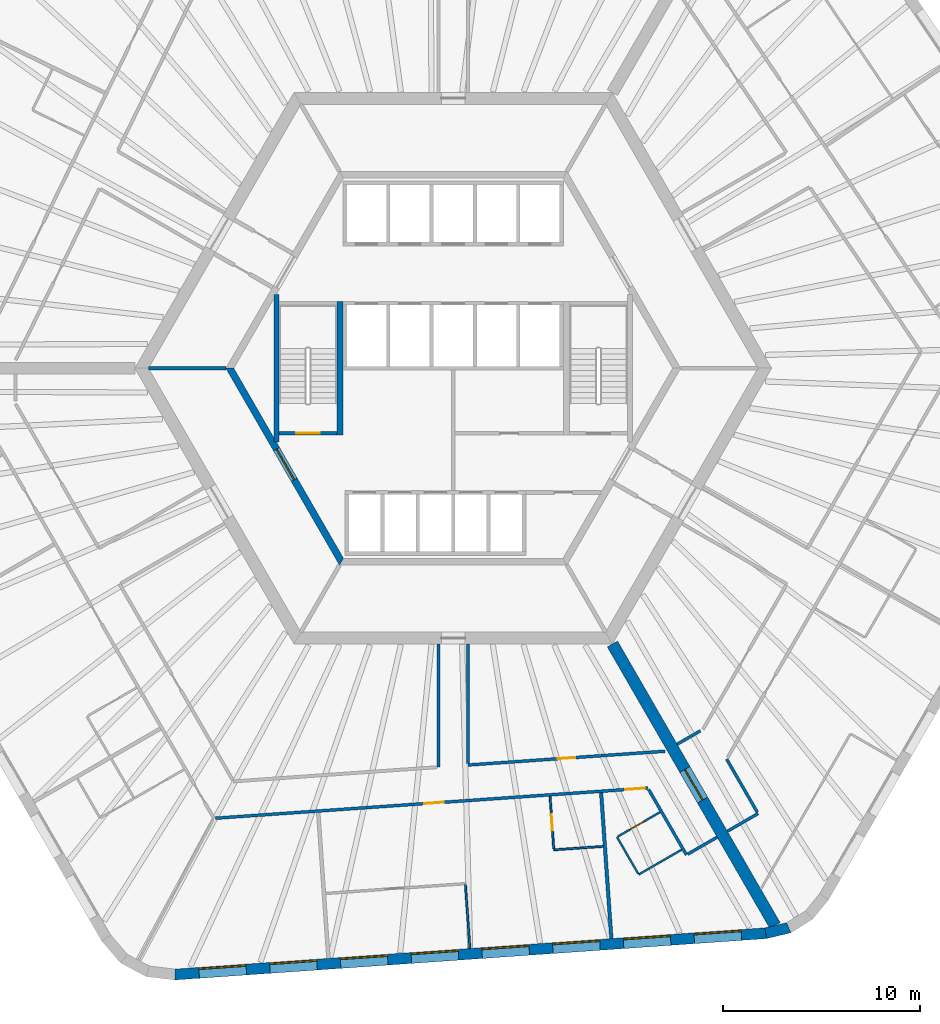
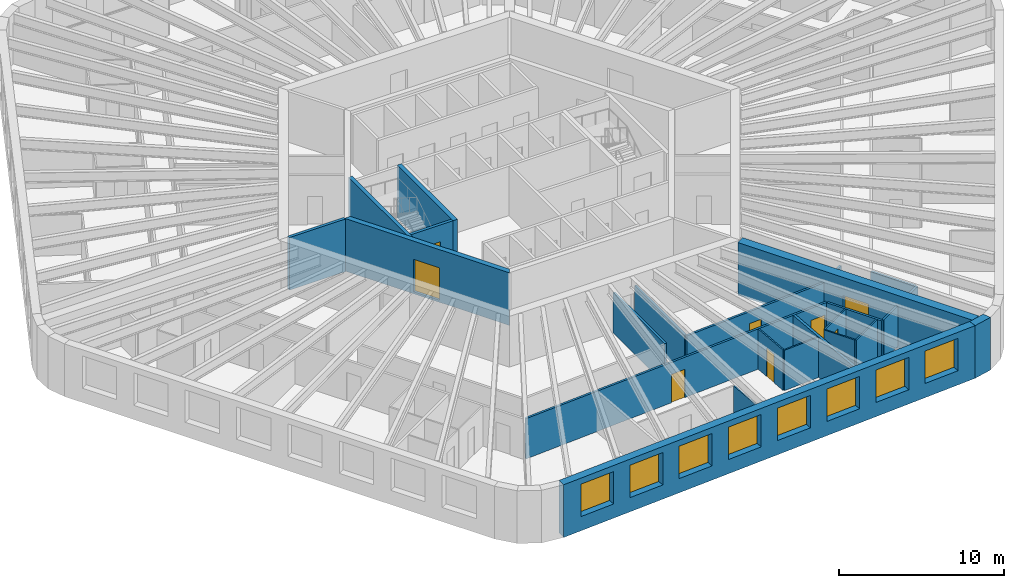
# One storey, part 4 of 12: 24 walls, 8 doors, 8 windows, 16 openings.
"""IFC4 building model written with IfcOpenShell, lengths in metres."""

from ifc_helpers import new_model, si_unit, direction, frame, frame_2d, origin, place, context, subcontext, project, spatial, polyline, rectangle, outline, extrude, material, layer, layer_set, type_object, element, fill, save


model = new_model("IFC4")

# Units and contexts
model_context = context("Model", 3, precision=1e-05, world=origin(), true_north=direction((0.0, 1.0)))
body_context = subcontext(model_context, "Body", "Model", "MODEL_VIEW")
ifc_project = project(units=[si_unit("LENGTHUNIT", "METRE"), si_unit("AREAUNIT", "SQUARE_METRE"), si_unit("VOLUMEUNIT", "CUBIC_METRE"), si_unit("PLANEANGLEUNIT", "RADIAN"), si_unit("MASSUNIT", "GRAM", prefix="KILO")], contexts=[model_context])

# Site, building, storey
site_placement = place(None, origin())
site = spatial("IfcSite", under=ifc_project, at=site_placement, CompositionType="ELEMENT")
building_placement = place(site_placement, origin())
building = spatial("IfcBuilding", under=site, at=building_placement, Name="Tarnside Tower", CompositionType="ELEMENT")
storey_placement = place(building_placement, frame((0.0, 0.0, 119.39990234375)))
storey = spatial("IfcBuildingStorey", under=building, at=storey_placement, Name="L27", CompositionType="ELEMENT", Elevation=119.39990234375)

# Wall
ifc_material_1 = material(Name="Gypsum board partition on steel studs", Category="steel")
ifc_layer_1 = layer(ifc_material_1, 0.10009765625)
ifc_layer_set_1 = layer_set([ifc_layer_1], Name="Bathroom wall 100")
wall_type_1 = type_object("IfcWallType", Name="Bathroom wall 100", PredefinedType="PARTITIONING", material=ifc_layer_set_1)
wall_1_placement = place(storey_placement, frame((7.611083984375, -24.2783203125, 0.0), z_axis=(0.0, 0.0, 1.0), x_axis=(-0.997565196586, -0.069740078583, 0.0)))
element("IfcWall", 1, at=wall_1_placement, inside=storey, type_object=wall_type_1, Name="Bathroom wall 08116", PredefinedType="PARTITIONING", context=body_context, shape_type="SweptSolid", body=[
    extrude(rectangle(XDim=2.510009765625, YDim=0.10009765625, at=frame_2d((1.2548828125, 0.0))), origin(), (0.0, 0.0, 1.0), 2.98779296875),
])

# Wall, opening, door
wall_2_placement = place(storey_placement, frame((5.103515625, -24.4033203125, 0.0), z_axis=(0.0, 0.0, 1.0), x_axis=(-0.069729221413, 0.997565955554, 0.0)))
wall_2 = element("IfcWall", 2, at=wall_2_placement, inside=storey, type_object=wall_type_1, Name="Bathroom wall 08117", PredefinedType="PARTITIONING", context=body_context, shape_type="SweptSolid", body=[
    extrude(rectangle(XDim=2.675048828125, YDim=0.10009765625, at=frame_2d((1.33740234375, 0.0))), origin(), (0.0, 0.0, 1.0), 2.98779296875),
])
opening_1_placement = place(wall_2_placement, frame((0.949951171875, 0.0, 0.0)))
opening_1 = element("IfcOpeningElement", 3, at=opening_1_placement, cuts=wall_2, Name="Opening D-B1", PredefinedType="OPENING", context=body_context, shape_type="SweptSolid", body=[
    extrude(rectangle(XDim=0.800048828125, YDim=2.10009765625, at=frame_2d((0.39990234375, 1.050048828125))), frame((0.0, 0.06005859375, 0.0), z_axis=(0.0, -1.0, 0.0), x_axis=(1.0, 0.0, 0.0)), (0.0, 0.0, 1.0), 0.1201171875),
])
ifc_material_2 = material(Name="Timber door leaf", Category="wood")
door_type_1 = type_object("IfcDoorType", Name="Bathroom door 800", OperationType="NOTDEFINED", PredefinedType="DOOR", material=ifc_material_2)
door_1_placement = place(opening_1_placement, origin())
door_1 = element("IfcDoor", 4, at=door_1_placement, inside=storey, type_object=door_type_1, Name="Bathroom door 08024", OperationType="SINGLE_SWING_RIGHT", OverallHeight=2.10009765625, OverallWidth=0.800048828125, PredefinedType="DOOR", context=body_context, shape_type="SweptSolid", body=[
    extrude(rectangle(XDim=0.800048828125, YDim=2.10009765625, at=frame_2d((0.39990234375, 1.050048828125))), frame((0.0, 0.02490234375, 0.0), z_axis=(0.0, -1.0, 0.0), x_axis=(1.0, 0.0, 0.0)), (0.0, 0.0, 1.0), 0.050048828125),
])
fill(opening_1, door_1)

# Walls
wall_3_placement = place(storey_placement, frame((11.6015625, -24.444580078125, 0.0), z_axis=(0.0, 0.0, 1.0), x_axis=(-0.866039067339, -0.499976333282, 0.0)))
element("IfcWall", 5, at=wall_3_placement, inside=storey, type_object=wall_type_1, Name="Bathroom wall 08122", PredefinedType="PARTITIONING", context=body_context, shape_type="SweptSolid", body=[
    extrude(rectangle(XDim=2.52490234375, YDim=0.10009765625, at=frame_2d((1.262451171875, 0.0))), origin(), (0.0, 0.0, 1.0), 2.98779296875),
])
wall_4_placement = place(storey_placement, frame((9.389892578125, -25.66357421875, 0.0), z_axis=(0.0, 0.0, 1.0), x_axis=(-0.500010803666, 0.866019166195, 0.0)))
element("IfcWall", 6, at=wall_4_placement, inside=storey, type_object=wall_type_1, Name="Bathroom wall 08123", PredefinedType="PARTITIONING", context=body_context, shape_type="SweptSolid", body=[
    extrude(rectangle(XDim=2.14990234375, YDim=0.10009765625, at=frame_2d((1.074951171875, 0.0))), origin(), (0.0, 0.0, 1.0), 2.98779296875),
])

# Wall, opening, door
wall_5_placement = place(storey_placement, frame((8.358154296875, -23.776611328125, 0.0), z_axis=(0.0, 0.0, 1.0), x_axis=(0.86604923931, 0.499958713387, 0.0)))
wall_5 = element("IfcWall", 7, at=wall_5_placement, inside=storey, type_object=wall_type_1, Name="Bathroom wall 08124", PredefinedType="PARTITIONING", context=body_context, shape_type="SweptSolid", body=[
    extrude(rectangle(XDim=2.474853515625, YDim=0.10009765625, at=frame_2d((1.2373046875, 0.0))), origin(), (0.0, 0.0, 1.0), 2.98779296875),
])
opening_2_placement = place(wall_5_placement, frame((0.719970703125, 0.0, 0.0)))
opening_2 = element("IfcOpeningElement", 8, at=opening_2_placement, cuts=wall_5, Name="Opening D-B1", PredefinedType="OPENING", context=body_context, shape_type="SweptSolid", body=[
    extrude(rectangle(XDim=0.800048828125, YDim=2.10009765625, at=frame_2d((0.39990234375, 1.050048828125))), frame((0.0, 0.06005859375, 0.0), z_axis=(0.0, -1.0, 0.0), x_axis=(1.0, 0.0, 0.0)), (0.0, 0.0, 1.0), 0.1201171875),
])
door_2_placement = place(opening_2_placement, origin())
door_2 = element("IfcDoor", 9, at=door_2_placement, inside=storey, type_object=door_type_1, Name="Bathroom door 08027", OperationType="SINGLE_SWING_RIGHT", OverallHeight=2.10009765625, OverallWidth=0.800048828125, PredefinedType="DOOR", context=body_context, shape_type="SweptSolid", body=[
    extrude(rectangle(XDim=0.800048828125, YDim=2.10009765625, at=frame_2d((0.39990234375, 1.050048828125))), frame((0.0, 0.02490234375, 0.0), z_axis=(0.0, -1.0, 0.0), x_axis=(1.0, 0.0, 0.0)), (0.0, 0.0, 1.0), 0.050048828125),
])
fill(opening_2, door_2)

ifc_material_3 = material(Name="Concrete C50/60", Category="concrete")
ifc_layer_2 = layer(ifc_material_3, 0.35009765625)
ifc_layer_set_2 = layer_set([ifc_layer_2], Name="Core block wall 350 C50/60")
wall_type_2 = type_object("IfcWallType", Name="Core block wall 350 C50/60", PredefinedType="SHEAR", material=ifc_layer_set_2)
wall_6_placement = place(storey_placement, frame((-11.344970703125, 0.0, -0.14990234375), z_axis=(0.0, 0.0, 1.0), x_axis=(0.499995046907, -0.866028263435, 0.0)))
wall_6 = element("IfcWall", 10, at=wall_6_placement, inside=storey, type_object=wall_type_2, Name="L27 core block wall face 3", PredefinedType="SHEAR", context=body_context, shape_type="SweptSolid", body=[
    extrude(outline(polyline([(-0.10107421875, -0.175048828125), (11.44580078125, -0.175048828125), (11.24365234375, 0.175048828125), (0.10107421875, 0.175048828125), (-0.10107421875, -0.175048828125)])), origin(), (0.0, 0.0, 1.0), 3.89990234375),
])
opening_3_placement = place(wall_6_placement, frame((4.74365234375, 0.0, 0.14990234375)))
opening_3 = element("IfcOpeningElement", 11, at=opening_3_placement, cuts=wall_6, Name="Opening CD-FFL", PredefinedType="OPENING", context=body_context, shape_type="SweptSolid", body=[
    extrude(rectangle(XDim=1.800048828125, YDim=2.39990234375, at=frame_2d((0.89990234375, 1.199951171875))), frame((0.0, 0.18505859375, 0.0), z_axis=(0.0, -1.0, 0.0), x_axis=(1.0, 0.0, 0.0)), (0.0, 0.0, 1.0), 0.3701171875),
])
ifc_material_4 = material(Name="Steel fire door", Category="steel")
door_type_2 = type_object("IfcDoorType", Name="Firefighting lobby double door FD60S 1800x2400", OperationType="NOTDEFINED", PredefinedType="DOOR", material=ifc_material_4)
door_3_placement = place(opening_3_placement, origin())
door_3 = element("IfcDoor", 12, at=door_3_placement, inside=storey, type_object=door_type_2, Name="L27 lobby block door P3", OperationType="DOUBLE_DOOR_SINGLE_SWING", OverallHeight=2.39990234375, OverallWidth=1.800048828125, PredefinedType="DOOR", context=body_context, shape_type="SweptSolid", body=[
    extrude(rectangle(XDim=1.800048828125, YDim=2.39990234375, at=frame_2d((0.89990234375, 1.199951171875))), frame((0.0, 0.02490234375, 0.0), z_axis=(0.0, -1.0, 0.0), x_axis=(1.0, 0.0, 0.0)), (0.0, 0.0, 1.0), 0.050048828125),
])
fill(opening_3, door_3)

ifc_material_5 = material(Name="Concrete C80/95", Category="concrete")
ifc_layer_3 = layer(ifc_material_5, 0.60009765625)
ifc_layer_set_3 = layer_set([ifc_layer_3], Name="Core wall Z1 600 C80/95")
wall_type_3 = type_object("IfcWallType", Name="Core wall Z1 600 C80/95", PredefinedType="SHEAR", material=ifc_layer_set_3)
wall_7_placement = place(storey_placement, frame((8.0830078125, -14.0, -0.14990234375), z_axis=(0.0, 0.0, 1.0), x_axis=(0.499997680643, -0.866026742862, 0.0)))
wall_7 = element("IfcWall", 13, at=wall_7_placement, inside=storey, type_object=wall_type_3, Name="L27 spine wall 3", PredefinedType="SHEAR", context=body_context, shape_type="SweptSolid", body=[
    extrude(rectangle(XDim=16.5087890625, YDim=0.60009765625, at=frame_2d((8.25439453125, 0.0))), origin(), (0.0, 0.0, 1.0), 3.89990234375),
])
opening_4_placement = place(wall_7_placement, frame((7.3544921875, 0.0, 0.14990234375)))
opening_4 = element("IfcOpeningElement", 14, at=opening_4_placement, cuts=wall_7, Name="Opening CD-SPN", PredefinedType="OPENING", context=body_context, shape_type="SweptSolid", body=[
    extrude(rectangle(XDim=1.800048828125, YDim=2.39990234375, at=frame_2d((0.89990234375, 1.199951171875))), frame((0.0, 0.31005859375, 0.0), z_axis=(0.0, -1.0, 0.0), x_axis=(1.0, 0.0, 0.0)), (0.0, 0.0, 1.0), 0.6201171875),
])
door_type_3 = type_object("IfcDoorType", Name="Spine passage double door FD60 1800x2400", OperationType="NOTDEFINED", PredefinedType="DOOR", material=ifc_material_4)
door_4_placement = place(opening_4_placement, origin())
door_4 = element("IfcDoor", 15, at=door_4_placement, inside=storey, type_object=door_type_3, Name="L27 spine passage door 3", OperationType="DOUBLE_DOOR_SINGLE_SWING", OverallHeight=2.39990234375, OverallWidth=1.800048828125, PredefinedType="DOOR", context=body_context, shape_type="SweptSolid", body=[
    extrude(rectangle(XDim=1.800048828125, YDim=2.39990234375, at=frame_2d((0.89990234375, 1.199951171875))), frame((0.0, 0.02490234375, 0.0), z_axis=(0.0, -1.0, 0.0), x_axis=(1.0, 0.0, 0.0)), (0.0, 0.0, 1.0), 0.050048828125),
])
fill(opening_4, door_4)

# Wall, openings, doors
ifc_layer_4 = layer(ifc_material_1, 0.14990234375)
ifc_layer_set_4 = layer_set([ifc_layer_4], Name="Corridor wall 150 EI 60")
wall_type_4 = type_object("IfcWallType", Name="Corridor wall 150 EI 60", PredefinedType="PARTITIONING", material=ifc_layer_set_4)
wall_8_placement = place(storey_placement, frame((-12.068115234375, -22.847412109375, 0.0), z_axis=(0.0, 0.0, 1.0), x_axis=(0.99756437486, 0.069751831595, 0.0)))
wall_8 = element("IfcWall", 16, at=wall_8_placement, inside=storey, type_object=wall_type_4, Name="Corridor wall 08033", PredefinedType="PARTITIONING", context=body_context, shape_type="SweptSolid", body=[
    extrude(rectangle(XDim=22.001708984375, YDim=0.14990234375, at=frame_2d((11.0009765625, 0.0))), origin(), (0.0, 0.0, 1.0), 2.98779296875),
])
opening_5_placement = place(wall_8_placement, frame((10.621337890625, 0.0, 0.0)))
opening_5 = element("IfcOpeningElement", 17, at=opening_5_placement, cuts=wall_8, Name="Opening D-E1", PredefinedType="OPENING", context=body_context, shape_type="SweptSolid", body=[
    extrude(rectangle(XDim=1.0, YDim=2.10009765625, at=frame_2d((0.5, 1.050048828125))), frame((0.0, 0.0849609375, 0.0), z_axis=(0.0, -1.0, 0.0), x_axis=(1.0, 0.0, 0.0)), (0.0, 0.0, 1.0), 0.169921875),
])
opening_6_placement = place(wall_8_placement, frame((20.851806640625, 0.0, 0.0)))
opening_6 = element("IfcOpeningElement", 18, at=opening_6_placement, cuts=wall_8, Name="Opening D-E1", PredefinedType="OPENING", context=body_context, shape_type="SweptSolid", body=[
    extrude(rectangle(XDim=1.0, YDim=2.10009765625, at=frame_2d((0.5, 1.050048828125))), frame((0.0, 0.0849609375, 0.0), z_axis=(0.0, -1.0, 0.0), x_axis=(1.0, 0.0, 0.0)), (0.0, 0.0, 1.0), 0.169921875),
])
door_type_4 = type_object("IfcDoorType", Name="Unit entrance door 1000 FD30S", OperationType="NOTDEFINED", PredefinedType="DOOR", material=ifc_material_2)
door_5_placement = place(opening_5_placement, origin())
door_5 = element("IfcDoor", 19, at=door_5_placement, inside=storey, type_object=door_type_4, Name="Unit door 08023", OperationType="SINGLE_SWING_RIGHT", OverallHeight=2.10009765625, OverallWidth=1.0, PredefinedType="DOOR", context=body_context, shape_type="SweptSolid", body=[
    extrude(rectangle(XDim=1.0, YDim=2.10009765625, at=frame_2d((0.5, 1.050048828125))), frame((0.0, 0.02490234375, 0.0), z_axis=(0.0, -1.0, 0.0), x_axis=(1.0, 0.0, 0.0)), (0.0, 0.0, 1.0), 0.050048828125),
])
fill(opening_5, door_5)
door_6_placement = place(opening_6_placement, origin())
door_6 = element("IfcDoor", 20, at=door_6_placement, inside=storey, type_object=door_type_4, Name="Unit door 08026", OperationType="SINGLE_SWING_LEFT", OverallHeight=2.10009765625, OverallWidth=1.0, PredefinedType="DOOR", context=body_context, shape_type="SweptSolid", body=[
    extrude(rectangle(XDim=1.0, YDim=2.10009765625, at=frame_2d((0.5, 1.050048828125))), frame((0.0, 0.02490234375, 0.0), z_axis=(0.0, -1.0, 0.0), x_axis=(1.0, 0.0, 0.0)), (0.0, 0.0, 1.0), 0.050048828125),
])
fill(opening_6, door_6)

# Walls
wall_9_placement = place(storey_placement, frame((9.921630859375, -21.385009765625, 0.0), z_axis=(0.0, 0.0, 1.0), x_axis=(0.500023335103, -0.866011930837, 0.0)))
element("IfcWall", 21, at=wall_9_placement, inside=storey, type_object=wall_type_4, Name="Corridor wall 08037", PredefinedType="PARTITIONING", context=body_context, shape_type="SweptSolid", body=[
    extrude(rectangle(XDim=3.839599609375, YDim=0.14990234375, at=frame_2d((1.919921875, 0.0))), origin(), (0.0, 0.0, 1.0), 2.98779296875),
])
wall_10_placement = place(storey_placement, frame((11.906494140625, -24.672607421875, 0.0), z_axis=(0.0, 0.0, 1.0), x_axis=(0.866013532718, 0.500020560727, 0.0)))
element("IfcWall", 22, at=wall_10_placement, inside=storey, type_object=wall_type_4, Name="Corridor wall 08039", PredefinedType="PARTITIONING", context=body_context, shape_type="SweptSolid", body=[
    extrude(rectangle(XDim=1.72509765625, YDim=0.14990234375, at=frame_2d((0.862548828125, 0.0))), origin(), (0.0, 0.0, 1.0), 2.98779296875),
])
wall_11_placement = place(storey_placement, frame((-0.75, -14.0, 0.0), z_axis=(0.0, 0.0, 1.0), x_axis=(0.0, -1.0, 0.0)))
element("IfcWall", 23, at=wall_11_placement, inside=storey, type_object=wall_type_4, Name="Corridor wall 08044", PredefinedType="PARTITIONING", context=body_context, shape_type="SweptSolid", body=[
    extrude(rectangle(XDim=6.251708984375, YDim=0.14990234375, at=frame_2d((3.1259765625, 0.0))), origin(), (0.0, 0.0, 1.0), 2.98779296875),
])

# Wall, opening, door
wall_12_placement = place(storey_placement, frame((10.75439453125, -19.447265625, 0.0), z_axis=(0.0, 0.0, 1.0), x_axis=(-0.997564830966, -0.069745308232, 0.0)))
wall_12 = element("IfcWall", 24, at=wall_12_placement, inside=storey, type_object=wall_type_4, Name="Corridor wall 08048", PredefinedType="PARTITIONING", context=body_context, shape_type="SweptSolid", body=[
    extrude(rectangle(XDim=10.02880859375, YDim=0.14990234375, at=frame_2d((5.014404296875, 0.0))), origin(), (0.0, 0.0, 1.0), 2.98779296875),
])
opening_7_placement = place(wall_12_placement, frame((4.564453125, 0.0, 0.0)))
opening_7 = element("IfcOpeningElement", 25, at=opening_7_placement, cuts=wall_12, Name="Opening D-S1", PredefinedType="OPENING", context=body_context, shape_type="SweptSolid", body=[
    extrude(rectangle(XDim=0.89990234375, YDim=2.10009765625, at=frame_2d((0.449951171875, 1.050048828125))), frame((0.0, 0.0849609375, 0.0), z_axis=(0.0, -1.0, 0.0), x_axis=(1.0, 0.0, 0.0)), (0.0, 0.0, 1.0), 0.169921875),
])
door_type_5 = type_object("IfcDoorType", Name="Service room door 900 FD30S", OperationType="NOTDEFINED", PredefinedType="DOOR", material=ifc_material_2)
door_7_placement = place(opening_7_placement, origin())
door_7 = element("IfcDoor", 26, at=door_7_placement, inside=storey, type_object=door_type_5, Name="Service door 08045", OperationType="SINGLE_SWING_LEFT", OverallHeight=2.10009765625, OverallWidth=0.89990234375, PredefinedType="DOOR", context=body_context, shape_type="SweptSolid", body=[
    extrude(rectangle(XDim=0.89990234375, YDim=2.10009765625, at=frame_2d((0.449951171875, 1.050048828125))), frame((0.0, 0.02490234375, 0.0), z_axis=(0.0, -1.0, 0.0), x_axis=(1.0, 0.0, 0.0)), (0.0, 0.0, 1.0), 0.050048828125),
])
fill(opening_7, door_7)

# Walls
wall_13_placement = place(storey_placement, frame((0.75, -20.071533203125, 0.0), z_axis=(0.0, 0.0, 1.0), x_axis=(0.0, 1.0, 0.0)))
element("IfcWall", 27, at=wall_13_placement, inside=storey, type_object=wall_type_4, Name="Corridor wall 08049", PredefinedType="PARTITIONING", context=body_context, shape_type="SweptSolid", body=[
    extrude(rectangle(XDim=6.071533203125, YDim=0.14990234375, at=frame_2d((3.03564453125, 0.0))), origin(), (0.0, 0.0, 1.0), 2.98779296875),
])
wall_14_placement = place(storey_placement, frame((13.919921875, -23.510009765625, 0.0), z_axis=(0.0, 0.0, 1.0), x_axis=(0.866047807691, 0.499961193289, 0.0)))
element("IfcWall", 28, at=wall_14_placement, inside=storey, type_object=wall_type_4, Name="Corridor wall 08050", PredefinedType="PARTITIONING", context=body_context, shape_type="SweptSolid", body=[
    extrude(rectangle(XDim=1.800048828125, YDim=0.14990234375, at=frame_2d((0.89990234375, 0.0))), origin(), (0.0, 0.0, 1.0), 2.98779296875),
])
wall_15_placement = place(storey_placement, frame((15.44140625, -22.545166015625, 0.0), z_axis=(0.0, 0.0, 1.0), x_axis=(-0.500037089193, 0.86600398927, 0.0)))
element("IfcWall", 29, at=wall_15_placement, inside=storey, type_object=wall_type_4, Name="Corridor wall 08051", PredefinedType="PARTITIONING", context=body_context, shape_type="SweptSolid", body=[
    extrude(rectangle(XDim=3.112060546875, YDim=0.14990234375, at=frame_2d((1.55615234375, 0.0))), origin(), (0.0, 0.0, 1.0), 2.98779296875),
])
wall_16_placement = place(storey_placement, frame((12.552001953125, -18.409423828125, 0.0), z_axis=(0.0, 0.0, 1.0), x_axis=(-0.866078408764, -0.499908181442, 0.0)))
element("IfcWall", 30, at=wall_16_placement, inside=storey, type_object=wall_type_4, Name="Corridor wall 08068", PredefinedType="PARTITIONING", context=body_context, shape_type="SweptSolid", body=[
    extrude(rectangle(XDim=1.365478515625, YDim=0.14990234375, at=frame_2d((0.6826171875, 0.0))), origin(), (0.0, 0.0, 1.0), 2.98779296875),
])
ifc_layer_5 = layer(ifc_material_1, 0.179931640625)
ifc_layer_set_5 = layer_set([ifc_layer_5], Name="Demising wall 180 EI 60")
wall_type_5 = type_object("IfcWallType", Name="Demising wall 180 EI 60", PredefinedType="PARTITIONING", material=ifc_layer_set_5)
wall_17_placement = place(storey_placement, frame((8.028564453125, -28.96044921875, 0.0), z_axis=(0.0, 0.0, 1.0), x_axis=(-0.069739801019, 0.99756521599, 0.0)))
element("IfcWall", 31, at=wall_17_placement, inside=storey, type_object=wall_type_5, Name="Demising wall 08120", PredefinedType="PARTITIONING", context=body_context, shape_type="SweptSolid", body=[
    extrude(rectangle(XDim=7.425048828125, YDim=0.179931640625, at=frame_2d((3.71240234375, 0.0))), origin(), (0.0, 0.0, 1.0), 2.98779296875),
])
ifc_material_6 = material(Name="Concrete C40/50", Category="concrete")
ifc_layer_6 = layer(ifc_material_6, 0.199951171875)
ifc_layer_set_6 = layer_set([ifc_layer_6], Name="Lift shaft wall 200 C40/50")
wall_type_6 = type_object("IfcWallType", Name="Lift shaft wall 200 C40/50", PredefinedType="SHEAR", material=ifc_layer_set_6)
wall_18_placement = place(storey_placement, frame((-11.547119140625, 0.0, -0.14990234375), z_axis=(0.0, 0.0, 1.0), x_axis=(-1.0, 0.0, 0.0)))
element("IfcWall", 32, at=wall_18_placement, inside=storey, type_object=wall_type_6, Name="L27 core partition AR180", PredefinedType="SHEAR", context=body_context, shape_type="SweptSolid", body=[
    extrude(rectangle(XDim=3.92578125, YDim=0.199951171875, at=frame_2d((1.962890625, 0.0))), origin(), (0.0, 0.0, 1.0), 3.89990234375),
])

# Wall, opening, door
wall_19_placement = place(storey_placement, frame((-8.85009765625, -3.300048828125, -0.25), z_axis=(0.0, 0.0, 1.0), x_axis=(1.0, 0.0, 0.0)))
wall_19 = element("IfcWall", 33, at=wall_19_placement, inside=storey, type_object=wall_type_6, Name="L27 stair 2 enclosure cap wall s", PredefinedType="SHEAR", context=body_context, shape_type="SweptSolid", body=[
    extrude(rectangle(XDim=2.9501953125, YDim=0.199951171875, at=frame_2d((1.47509765625, 0.0))), origin(), (0.0, 0.0, 1.0), 3.900146484375),
])
opening_8_placement = place(wall_19_placement, frame((0.875, 0.0, 0.25)))
opening_8 = element("IfcOpeningElement", 34, at=opening_8_placement, cuts=wall_19, Name="Opening CD-STR", PredefinedType="OPENING", context=body_context, shape_type="SweptSolid", body=[
    extrude(rectangle(XDim=1.199951171875, YDim=2.39990234375, at=frame_2d((0.60009765625, 1.199951171875))), frame((0.0, 0.10986328125, 0.0), z_axis=(0.0, -1.0, 0.0), x_axis=(1.0, 0.0, 0.0)), (0.0, 0.0, 1.0), 0.219970703125),
])
door_type_6 = type_object("IfcDoorType", Name="Stair door FD60S 1200x2400", OperationType="NOTDEFINED", PredefinedType="DOOR", material=ifc_material_4)
door_8_placement = place(opening_8_placement, origin())
door_8 = element("IfcDoor", 35, at=door_8_placement, inside=storey, type_object=door_type_6, Name="L27 stair 2 door", OperationType="SINGLE_SWING_LEFT", OverallHeight=2.39990234375, OverallWidth=1.199951171875, PredefinedType="DOOR", context=body_context, shape_type="SweptSolid", body=[
    extrude(rectangle(XDim=1.199951171875, YDim=2.39990234375, at=frame_2d((0.60009765625, 1.199951171875))), frame((0.0, 0.02490234375, 0.0), z_axis=(0.0, -1.0, 0.0), x_axis=(1.0, 0.0, 0.0)), (0.0, 0.0, 1.0), 0.050048828125),
])
fill(opening_8, door_8)

# Walls
ifc_layer_7 = layer(ifc_material_1, 0.10009765625)
ifc_layer_set_7 = layer_set([ifc_layer_7], Name="Partition 100")
wall_type_7 = type_object("IfcWallType", Name="Partition 100", PredefinedType="PARTITIONING", material=ifc_layer_set_7)
wall_20_placement = place(storey_placement, frame((0.619384765625, -26.220703125, 0.0), z_axis=(0.0, 0.0, 1.0), x_axis=(0.069789506462, -0.997561739838, 0.0)))
element("IfcWall", 36, at=wall_20_placement, inside=storey, type_object=wall_type_7, Name="Partition wall 08119", PredefinedType="PARTITIONING", context=body_context, shape_type="SweptSolid", body=[
    extrude(rectangle(XDim=3.249755859375, YDim=0.10009765625, at=frame_2d((1.625, 0.0))), origin(), (0.0, 0.0, 1.0), 2.98779296875),
])
ifc_layer_8 = layer(ifc_material_6, 0.25)
ifc_layer_set_8 = layer_set([ifc_layer_8], Name="Stair enclosure wall 250 C40/50")
wall_type_8 = type_object("IfcWallType", Name="Stair enclosure wall 250 C40/50", PredefinedType="SHEAR", material=ifc_layer_set_8)
wall_21_placement = place(storey_placement, frame((-8.97509765625, -3.7548828125, -0.25), z_axis=(0.0, 0.0, 1.0), x_axis=(0.0, 1.0, 0.0)))
element("IfcWall", 37, at=wall_21_placement, inside=storey, type_object=wall_type_8, Name="L27 stair 2 enclosure wall outer", PredefinedType="SHEAR", context=body_context, shape_type="SweptSolid", body=[
    extrude(rectangle(XDim=7.509765625, YDim=0.25, at=frame_2d((3.7548828125, 0.0))), origin(), (0.0, 0.0, 1.0), 3.900146484375),
])
ifc_layer_9 = layer(ifc_material_6, 0.300048828125)
ifc_layer_set_9 = layer_set([ifc_layer_9], Name="Stair enclosure wall 300 C40/50")
wall_type_9 = type_object("IfcWallType", Name="Stair enclosure wall 300 C40/50", PredefinedType="SHEAR", material=ifc_layer_set_9)
wall_22_placement = place(storey_placement, frame((-5.75, -3.39990234375, -0.25), z_axis=(0.0, 0.0, 1.0), x_axis=(0.0, 1.0, 0.0)))
element("IfcWall", 38, at=wall_22_placement, inside=storey, type_object=wall_type_9, Name="L27 stair 2 enclosure wall inner", PredefinedType="SHEAR", context=body_context, shape_type="SweptSolid", body=[
    extrude(rectangle(XDim=6.7998046875, YDim=0.300048828125, at=frame_2d((3.39990234375, 0.0))), origin(), (0.0, 0.0, 1.0), 3.900146484375),
])

# Wall, openings, windows
ifc_material_7 = material(Name="Facing brick", Category="masonry")
ifc_layer_10 = layer(ifc_material_7, 0.10205078125)
ifc_material_8 = material(Name="Concrete C60/75 precast", Category="concrete")
ifc_layer_11 = layer(ifc_material_8, 0.347900390625)
ifc_material_9 = material(Name="Mineral wool insulation")
ifc_layer_12 = layer(ifc_material_9, 0.10009765625)
ifc_layer_set_10 = layer_set([ifc_layer_10, ifc_layer_11, ifc_layer_12], Name="Tube wall 550 brick faced")
wall_type_10 = type_object("IfcWallType", Name="Tube wall 550 brick faced", PredefinedType="SOLIDWALL", material=ifc_layer_set_10)
wall_23_placement = place(storey_placement, frame((-14.133544921875, -30.785888671875, -0.14990234375), z_axis=(0.0, 0.0, 1.0), x_axis=(0.997564037441, 0.069756657061, 0.0)))
wall_23 = element("IfcWall", 39, at=wall_23_placement, inside=storey, type_object=wall_type_10, Name="Tube wall L27 F4 flush 12", PredefinedType="SOLIDWALL", context=body_context, shape_type="SweptSolid", body=[
    extrude(outline(polyline([(-0.025634765625, -0.27490234375), (30.093505859375, -0.27490234375), (30.048583984375, 0.27490234375), (0.025634765625, 0.27490234375), (-0.025634765625, -0.27490234375)])), origin(), (0.0, 0.0, 1.0), 3.89990234375),
])
opening_9_placement = place(wall_23_placement, frame((1.235595703125, 0.0, 1.050048828125)))
opening_9 = element("IfcOpeningElement", 40, at=opening_9_placement, cuts=wall_23, Name="Opening WH", PredefinedType="OPENING", context=body_context, shape_type="SweptSolid", body=[
    extrude(rectangle(XDim=2.39990234375, YDim=2.39990234375, at=frame_2d((1.199951171875, 1.199951171875))), frame((0.0, 0.28515625, 0.0), z_axis=(0.0, -1.0, 0.0), x_axis=(1.0, 0.0, 0.0)), (0.0, 0.0, 1.0), 0.570068359375),
])
opening_10_placement = place(wall_23_placement, frame((4.83544921875, 0.0, 1.050048828125)))
opening_10 = element("IfcOpeningElement", 41, at=opening_10_placement, cuts=wall_23, Name="Opening WH", PredefinedType="OPENING", context=body_context, shape_type="SweptSolid", body=[
    extrude(rectangle(XDim=2.39990234375, YDim=2.39990234375, at=frame_2d((1.199951171875, 1.199951171875))), frame((0.0, 0.28515625, 0.0), z_axis=(0.0, -1.0, 0.0), x_axis=(1.0, 0.0, 0.0)), (0.0, 0.0, 1.0), 0.570068359375),
])
opening_11_placement = place(wall_23_placement, frame((8.435546875, 0.0, 1.050048828125)))
opening_11 = element("IfcOpeningElement", 42, at=opening_11_placement, cuts=wall_23, Name="Opening WH", PredefinedType="OPENING", context=body_context, shape_type="SweptSolid", body=[
    extrude(rectangle(XDim=2.39990234375, YDim=2.39990234375, at=frame_2d((1.199951171875, 1.199951171875))), frame((0.0, 0.28515625, 0.0), z_axis=(0.0, -1.0, 0.0), x_axis=(1.0, 0.0, 0.0)), (0.0, 0.0, 1.0), 0.570068359375),
])
opening_12_placement = place(wall_23_placement, frame((12.035400390625, 0.0, 1.050048828125)))
opening_12 = element("IfcOpeningElement", 43, at=opening_12_placement, cuts=wall_23, Name="Opening WH", PredefinedType="OPENING", context=body_context, shape_type="SweptSolid", body=[
    extrude(rectangle(XDim=2.39990234375, YDim=2.39990234375, at=frame_2d((1.199951171875, 1.199951171875))), frame((0.0, 0.28515625, 0.0), z_axis=(0.0, -1.0, 0.0), x_axis=(1.0, 0.0, 0.0)), (0.0, 0.0, 1.0), 0.570068359375),
])
opening_13_placement = place(wall_23_placement, frame((15.635498046875, 0.0, 1.050048828125)))
opening_13 = element("IfcOpeningElement", 44, at=opening_13_placement, cuts=wall_23, Name="Opening WH", PredefinedType="OPENING", context=body_context, shape_type="SweptSolid", body=[
    extrude(rectangle(XDim=2.39990234375, YDim=2.39990234375, at=frame_2d((1.199951171875, 1.199951171875))), frame((0.0, 0.28515625, 0.0), z_axis=(0.0, -1.0, 0.0), x_axis=(1.0, 0.0, 0.0)), (0.0, 0.0, 1.0), 0.570068359375),
])
opening_14_placement = place(wall_23_placement, frame((19.235595703125, 0.0, 1.050048828125)))
opening_14 = element("IfcOpeningElement", 45, at=opening_14_placement, cuts=wall_23, Name="Opening WH", PredefinedType="OPENING", context=body_context, shape_type="SweptSolid", body=[
    extrude(rectangle(XDim=2.39990234375, YDim=2.39990234375, at=frame_2d((1.199951171875, 1.199951171875))), frame((0.0, 0.28515625, 0.0), z_axis=(0.0, -1.0, 0.0), x_axis=(1.0, 0.0, 0.0)), (0.0, 0.0, 1.0), 0.570068359375),
])
opening_15_placement = place(wall_23_placement, frame((22.83544921875, 0.0, 1.050048828125)))
opening_15 = element("IfcOpeningElement", 46, at=opening_15_placement, cuts=wall_23, Name="Opening WH", PredefinedType="OPENING", context=body_context, shape_type="SweptSolid", body=[
    extrude(rectangle(XDim=2.39990234375, YDim=2.39990234375, at=frame_2d((1.199951171875, 1.199951171875))), frame((0.0, 0.28515625, 0.0), z_axis=(0.0, -1.0, 0.0), x_axis=(1.0, 0.0, 0.0)), (0.0, 0.0, 1.0), 0.570068359375),
])
opening_16_placement = place(wall_23_placement, frame((26.435546875, 0.0, 1.050048828125)))
opening_16 = element("IfcOpeningElement", 47, at=opening_16_placement, cuts=wall_23, Name="Opening WH", PredefinedType="OPENING", context=body_context, shape_type="SweptSolid", body=[
    extrude(rectangle(XDim=2.39990234375, YDim=2.39990234375, at=frame_2d((1.199951171875, 1.199951171875))), frame((0.0, 0.28515625, 0.0), z_axis=(0.0, -1.0, 0.0), x_axis=(1.0, 0.0, 0.0)), (0.0, 0.0, 1.0), 0.570068359375),
])
ifc_material_10 = material(Name="Aluminium-framed double glazing", Category="aluminium")
window_type = type_object("IfcWindowType", Name="Hotel window 2400 x 2400", PartitioningType="DOUBLE_PANEL_VERTICAL", PredefinedType="WINDOW", material=ifc_material_10)
window_1_placement = place(opening_9_placement, frame((0.0, 0.205078125, 0.0)))
window_1 = element("IfcWindow", 48, at=window_1_placement, inside=storey, type_object=window_type, Name="E.WN.L27.F4.00", OverallHeight=2.39990234375, OverallWidth=2.39990234375, PartitioningType="DOUBLE_PANEL_VERTICAL", PredefinedType="WINDOW", context=body_context, shape_type="SweptSolid", body=[
    extrude(rectangle(XDim=2.39990234375, YDim=2.39990234375, at=frame_2d((1.199951171875, 1.199951171875))), frame((0.0, 0.030029296875, 0.0), z_axis=(0.0, -1.0, 0.0), x_axis=(1.0, 0.0, 0.0)), (0.0, 0.0, 1.0), 0.06005859375),
])
fill(opening_9, window_1)
window_2_placement = place(opening_10_placement, frame((0.0, 0.205078125, 0.0)))
window_2 = element("IfcWindow", 49, at=window_2_placement, inside=storey, type_object=window_type, Name="E.WN.L27.F4.01", OverallHeight=2.39990234375, OverallWidth=2.39990234375, PartitioningType="DOUBLE_PANEL_VERTICAL", PredefinedType="WINDOW", context=body_context, shape_type="SweptSolid", body=[
    extrude(rectangle(XDim=2.39990234375, YDim=2.39990234375, at=frame_2d((1.199951171875, 1.199951171875))), frame((0.0, 0.030029296875, 0.0), z_axis=(0.0, -1.0, 0.0), x_axis=(1.0, 0.0, 0.0)), (0.0, 0.0, 1.0), 0.06005859375),
])
fill(opening_10, window_2)
window_3_placement = place(opening_11_placement, frame((0.0, 0.205078125, 0.0)))
window_3 = element("IfcWindow", 50, at=window_3_placement, inside=storey, type_object=window_type, Name="E.WN.L27.F4.02", OverallHeight=2.39990234375, OverallWidth=2.39990234375, PartitioningType="DOUBLE_PANEL_VERTICAL", PredefinedType="WINDOW", context=body_context, shape_type="SweptSolid", body=[
    extrude(rectangle(XDim=2.39990234375, YDim=2.39990234375, at=frame_2d((1.199951171875, 1.199951171875))), frame((0.0, 0.030029296875, 0.0), z_axis=(0.0, -1.0, 0.0), x_axis=(1.0, 0.0, 0.0)), (0.0, 0.0, 1.0), 0.06005859375),
])
fill(opening_11, window_3)
window_4_placement = place(opening_12_placement, frame((0.0, 0.205078125, 0.0)))
window_4 = element("IfcWindow", 51, at=window_4_placement, inside=storey, type_object=window_type, Name="E.WN.L27.F4.03", OverallHeight=2.39990234375, OverallWidth=2.39990234375, PartitioningType="DOUBLE_PANEL_VERTICAL", PredefinedType="WINDOW", context=body_context, shape_type="SweptSolid", body=[
    extrude(rectangle(XDim=2.39990234375, YDim=2.39990234375, at=frame_2d((1.199951171875, 1.199951171875))), frame((0.0, 0.030029296875, 0.0), z_axis=(0.0, -1.0, 0.0), x_axis=(1.0, 0.0, 0.0)), (0.0, 0.0, 1.0), 0.06005859375),
])
fill(opening_12, window_4)
window_5_placement = place(opening_13_placement, frame((0.0, 0.205078125, 0.0)))
window_5 = element("IfcWindow", 52, at=window_5_placement, inside=storey, type_object=window_type, Name="E.WN.L27.F4.04", OverallHeight=2.39990234375, OverallWidth=2.39990234375, PartitioningType="DOUBLE_PANEL_VERTICAL", PredefinedType="WINDOW", context=body_context, shape_type="SweptSolid", body=[
    extrude(rectangle(XDim=2.39990234375, YDim=2.39990234375, at=frame_2d((1.199951171875, 1.199951171875))), frame((0.0, 0.030029296875, 0.0), z_axis=(0.0, -1.0, 0.0), x_axis=(1.0, 0.0, 0.0)), (0.0, 0.0, 1.0), 0.06005859375),
])
fill(opening_13, window_5)
window_6_placement = place(opening_14_placement, frame((0.0, 0.205078125, 0.0)))
window_6 = element("IfcWindow", 53, at=window_6_placement, inside=storey, type_object=window_type, Name="E.WN.L27.F4.05", OverallHeight=2.39990234375, OverallWidth=2.39990234375, PartitioningType="DOUBLE_PANEL_VERTICAL", PredefinedType="WINDOW", context=body_context, shape_type="SweptSolid", body=[
    extrude(rectangle(XDim=2.39990234375, YDim=2.39990234375, at=frame_2d((1.199951171875, 1.199951171875))), frame((0.0, 0.030029296875, 0.0), z_axis=(0.0, -1.0, 0.0), x_axis=(1.0, 0.0, 0.0)), (0.0, 0.0, 1.0), 0.06005859375),
])
fill(opening_14, window_6)
window_7_placement = place(opening_15_placement, frame((0.0, 0.205078125, 0.0)))
window_7 = element("IfcWindow", 54, at=window_7_placement, inside=storey, type_object=window_type, Name="E.WN.L27.F4.06", OverallHeight=2.39990234375, OverallWidth=2.39990234375, PartitioningType="DOUBLE_PANEL_VERTICAL", PredefinedType="WINDOW", context=body_context, shape_type="SweptSolid", body=[
    extrude(rectangle(XDim=2.39990234375, YDim=2.39990234375, at=frame_2d((1.199951171875, 1.199951171875))), frame((0.0, 0.030029296875, 0.0), z_axis=(0.0, -1.0, 0.0), x_axis=(1.0, 0.0, 0.0)), (0.0, 0.0, 1.0), 0.06005859375),
])
fill(opening_15, window_7)
window_8_placement = place(opening_16_placement, frame((0.0, 0.205078125, 0.0)))
window_8 = element("IfcWindow", 55, at=window_8_placement, inside=storey, type_object=window_type, Name="E.WN.L27.F4.07", OverallHeight=2.39990234375, OverallWidth=2.39990234375, PartitioningType="DOUBLE_PANEL_VERTICAL", PredefinedType="WINDOW", context=body_context, shape_type="SweptSolid", body=[
    extrude(rectangle(XDim=2.39990234375, YDim=2.39990234375, at=frame_2d((1.199951171875, 1.199951171875))), frame((0.0, 0.030029296875, 0.0), z_axis=(0.0, -1.0, 0.0), x_axis=(1.0, 0.0, 0.0)), (0.0, 0.0, 1.0), 0.06005859375),
])
fill(opening_16, window_8)

# Wall
wall_24_placement = place(storey_placement, frame((15.8642578125, -28.688232421875, -0.14990234375), z_axis=(0.0, 0.0, 1.0), x_axis=(0.973063591128, 0.230536868247, 0.0)))
element("IfcWall", 56, at=wall_24_placement, inside=storey, type_object=wall_type_10, Name="Tube wall L27 F4 chord 13", PredefinedType="SOLIDWALL", context=body_context, shape_type="SweptSolid", body=[
    extrude(outline(polyline([(-0.0224609375, -0.27490234375), (1.25341796875, -0.27490234375), (1.1630859375, 0.27490234375), (0.0224609375, 0.27490234375), (-0.0224609375, -0.27490234375)])), origin(), (0.0, 0.0, 1.0), 3.89990234375),
])

save(model, "model.ifc")
